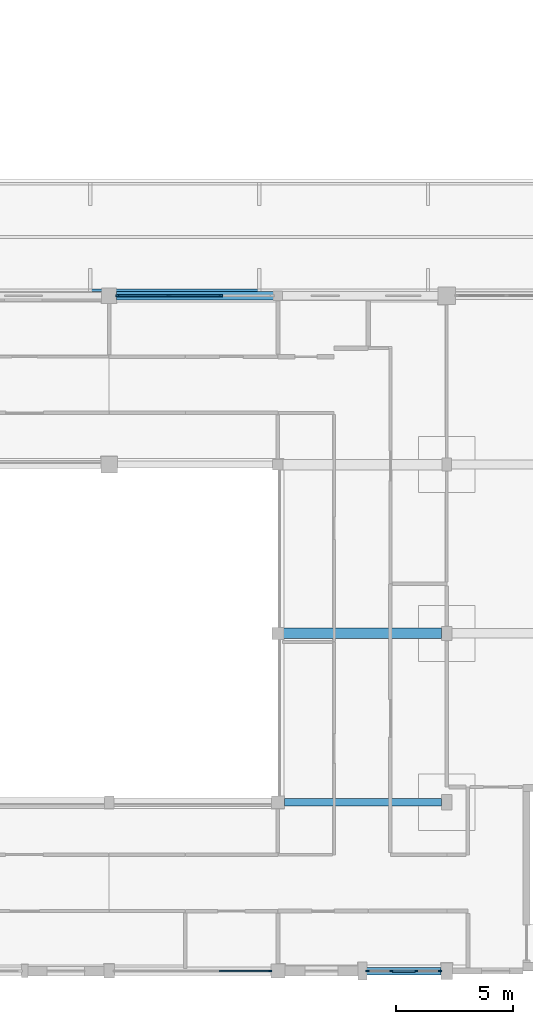
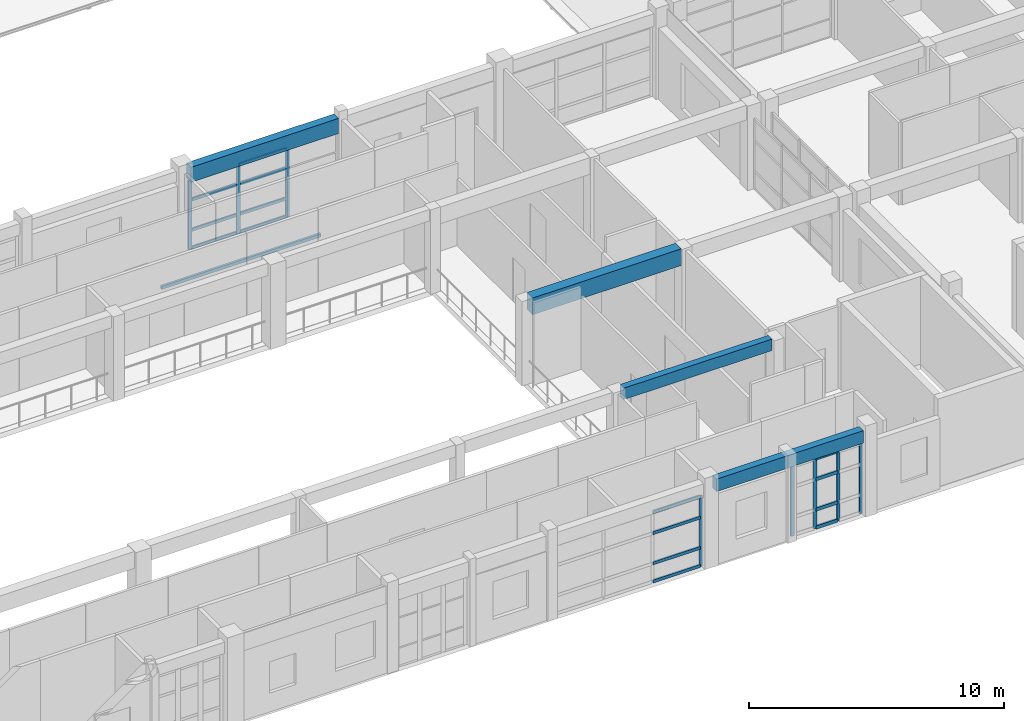
# One storey, part 18 of 110: 25 members, 4 beams, 3 elements without a shape of their own.
"""IFC4 building model written with IfcOpenShell, lengths in metres."""

from ifc_helpers import new_model, si_unit, direction, frame, origin, origin_2d, place, context, subcontext, project, spatial, rectangle, hollow_rectangle, extrude, material, material_profile, profile_set, type_object, element, aggregate, save


model = new_model("IFC4")

# Units and contexts
model_context = context("Model", 3, precision=1e-05, world=origin(), true_north=direction((0.0, 1.0)))
body_context = subcontext(model_context, "Body", "Model", "MODEL_VIEW")
ifc_project = project(units=[si_unit("LENGTHUNIT", "METRE"), si_unit("AREAUNIT", "SQUARE_METRE"), si_unit("VOLUMEUNIT", "CUBIC_METRE"), si_unit("PLANEANGLEUNIT", "RADIAN"), si_unit("MASSUNIT", "GRAM", prefix="KILO")], contexts=[model_context])

# Site, building, storey
site_placement = place(None, origin())
site = spatial("IfcSite", under=ifc_project, at=site_placement, CompositionType="ELEMENT")
building_placement = place(site_placement, origin())
building = spatial("IfcBuilding", under=site, at=building_placement, Name="Steenspoor Specialist Clinic", CompositionType="ELEMENT")
storey_placement = place(building_placement, frame((0.0, 0.0, 4.800048828125)))
storey = spatial("IfcBuildingStorey", under=building, at=storey_placement, Name="L01", CompositionType="ELEMENT", Elevation=4.800048828125)

# Beams
ifc_material_1 = material(Name="Concrete C35/45", Category="concrete")
ifc_material_profile_1 = material_profile(ifc_material_1, rectangle(XDim=0.300048828125, YDim=0.550048828125, at=origin_2d()), Name="RC-BM-300X550")
ifc_profile_set_1 = profile_set([ifc_material_profile_1], Name="Concrete C35/45")
beam_type_1 = type_object("IfcBeamType", Name="BM-RC-300X550", PredefinedType="BEAM", material=ifc_profile_set_1)
beam_1_placement = place(storey_placement, frame((103.070068359375, 20.25, 3.760009765625), z_axis=(1.0, 0.0, 0.0), x_axis=(0.0, 1.0, 0.0)))
element("IfcBeam", 1, at=beam_1_placement, inside=storey, type_object=beam_type_1, Name="BM-V1-L01-X0130", PredefinedType="BEAM", context=body_context, shape_type="SweptSolid", body=[
    extrude(rectangle(XDim=0.300048828125, YDim=0.550048828125, at=origin_2d()), origin(), (0.0, 0.0, 1.0), 6.7099609375),
])
ifc_material_profile_2 = material_profile(ifc_material_1, rectangle(XDim=0.449951171875, YDim=0.800048828125, at=origin_2d()), Name="RC-BM-450X800")
ifc_profile_set_2 = profile_set([ifc_material_profile_2], Name="Concrete C35/45")
beam_type_2 = type_object("IfcBeamType", Name="BM-RC-450X800", PredefinedType="BEAM", material=ifc_profile_set_2)
beam_2_placement = place(storey_placement, frame((103.044921875, 27.449951171875, 3.635009765625), z_axis=(1.0, 0.0, 0.0), x_axis=(0.0, 1.0, 0.0)))
element("IfcBeam", 2, at=beam_2_placement, inside=storey, type_object=beam_type_2, Name="BM-V1-L01-X0132", PredefinedType="BEAM", context=body_context, shape_type="SweptSolid", body=[
    extrude(rectangle(XDim=0.449951171875, YDim=0.800048828125, at=origin_2d()), origin(), (0.0, 0.0, 1.0), 6.735107421875),
])

# Curtain wall, member
ifc_material_2 = material(Name="Thermally broken aluminium and low-emissivity glass", Category="aluminium")
curtain_wall_type_1 = type_object("IfcCurtainWallType", Name="CW-TYP-240X355", PredefinedType="USERDEFINED", material=ifc_material_2)
curtain_wall_1_placement = place(storey_placement, origin())
curtain_wall_1 = element("IfcCurtainWall", 3, at=curtain_wall_1_placement, inside=storey, type_object=curtain_wall_type_1, Name="Unitised Curtain Wall CW-V1-L01-016", ObjectType="UNITISED GLAZING", PredefinedType="USERDEFINED")
ifc_material_3 = material(Name="Thermally broken aluminium 6063-T6", Category="aluminium")
ifc_material_profile_3 = material_profile(ifc_material_3, rectangle(XDim=0.06005859375, YDim=0.135009765625, at=origin_2d()), Name="CWM-60X135")
ifc_profile_set_3 = profile_set([ifc_material_profile_3], Name="Thermally broken aluminium 6063-T6")
member_type_1 = type_object("IfcMemberType", Name="CW-MULL-60X135", PredefinedType="MULLION", material=ifc_profile_set_3)
member_1_placement = place(storey_placement, frame((102.469970703125, 13.050048828125, 0.0), z_axis=(0.0, 0.0, 1.0), x_axis=(0.0, -1.0, 0.0)))
member_1 = element("IfcMember", 4, at=member_1_placement, type_object=member_type_1, Name="CW-16 mullion 1", PredefinedType="MULLION", context=body_context, shape_type="SweptSolid", body=[
    extrude(rectangle(XDim=0.06005859375, YDim=0.135009765625, at=origin_2d()), origin(), (0.0, 0.0, 1.0), 3.3798828125),
])

# Curtain wall, members
curtain_wall_type_2 = type_object("IfcCurtainWallType", Name="CW-TYP-300X355", PredefinedType="USERDEFINED", material=ifc_material_2)
curtain_wall_2_placement = place(storey_placement, origin())
curtain_wall_2 = element("IfcCurtainWall", 5, at=curtain_wall_2_placement, inside=storey, type_object=curtain_wall_type_2, Name="Unitised Curtain Wall CW-V1-L01-015", ObjectType="UNITISED GLAZING", PredefinedType="USERDEFINED")
ifc_material_profile_4 = material_profile(ifc_material_3, rectangle(XDim=0.06494140625, YDim=0.14990234375, at=origin_2d()), Name="CWM-65X150")
ifc_profile_set_4 = profile_set([ifc_material_profile_4], Name="Thermally broken aluminium 6063-T6")
member_type_2 = type_object("IfcMemberType", Name="CW-MULL-65X150", PredefinedType="MULLION", material=ifc_profile_set_4)
member_2_placement = place(storey_placement, frame((109.717529296875, 13.050048828125, 0.0), z_axis=(0.0, 0.0, 1.0), x_axis=(0.0, -1.0, 0.0)))
member_2 = element("IfcMember", 6, at=member_2_placement, type_object=member_type_2, Name="CW-15 mullion 1", PredefinedType="MULLION", context=body_context, shape_type="SweptSolid", body=[
    extrude(rectangle(XDim=0.06494140625, YDim=0.14990234375, at=origin_2d()), origin(), (0.0, 0.0, 1.0), 3.3798828125),
])
member_3_placement = place(storey_placement, frame((108.69677734375, 13.050048828125, 0.0), z_axis=(0.0, 0.0, 1.0), x_axis=(0.0, -1.0, 0.0)))
member_3 = element("IfcMember", 7, at=member_3_placement, type_object=member_type_2, Name="CW-15 mullion 2", PredefinedType="MULLION", context=body_context, shape_type="SweptSolid", body=[
    extrude(rectangle(XDim=0.06494140625, YDim=0.14990234375, at=origin_2d()), origin(), (0.0, 0.0, 1.0), 3.3798828125),
])
member_4_placement = place(storey_placement, frame((107.643310546875, 13.050048828125, 0.0), z_axis=(0.0, 0.0, 1.0), x_axis=(0.0, -1.0, 0.0)))
member_4 = element("IfcMember", 8, at=member_4_placement, type_object=member_type_2, Name="CW-15 mullion 3", PredefinedType="MULLION", context=body_context, shape_type="SweptSolid", body=[
    extrude(rectangle(XDim=0.06494140625, YDim=0.14990234375, at=origin_2d()), origin(), (0.0, 0.0, 1.0), 3.3798828125),
])
member_5_placement = place(storey_placement, frame((106.62255859375, 13.050048828125, 0.0), z_axis=(0.0, 0.0, 1.0), x_axis=(0.0, -1.0, 0.0)))
member_5 = element("IfcMember", 9, at=member_5_placement, type_object=member_type_2, Name="CW-15 mullion 4", PredefinedType="MULLION", context=body_context, shape_type="SweptSolid", body=[
    extrude(rectangle(XDim=0.06494140625, YDim=0.14990234375, at=origin_2d()), origin(), (0.0, 0.0, 1.0), 3.3798828125),
])

curtain_wall_type_3 = type_object("IfcCurtainWallType", Name="CW-HALL-650X820", PredefinedType="USERDEFINED", material=ifc_material_2)
curtain_wall_3_placement = place(storey_placement, origin())
curtain_wall_3 = element("IfcCurtainWall", 10, at=curtain_wall_3_placement, inside=storey, type_object=curtain_wall_type_3, Name="Unitised Curtain Wall CW-V1-L01-026", ObjectType="UNITISED GLAZING", PredefinedType="USERDEFINED")
ifc_material_profile_5 = material_profile(ifc_material_3, rectangle(XDim=0.070068359375, YDim=0.1650390625, at=origin_2d()), Name="CWM-70X165")
ifc_profile_set_5 = profile_set([ifc_material_profile_5], Name="Thermally broken aluminium 6063-T6")
member_type_3 = type_object("IfcMemberType", Name="CW-MULL-70X165", PredefinedType="MULLION", material=ifc_profile_set_5)
member_6_placement = place(storey_placement, frame((95.9599609375, 41.85009765625, 0.0), z_axis=(0.0, 0.0, 1.0), x_axis=(0.0, 1.0, 0.0)))
member_6 = element("IfcMember", 11, at=member_6_placement, type_object=member_type_3, Name="CW-02 mullion 1", PredefinedType="MULLION", context=body_context, shape_type="SweptSolid", body=[
    extrude(rectangle(XDim=0.070068359375, YDim=0.1650390625, at=origin_2d()), origin(), (0.0, 0.0, 1.0), 3.300048828125),
])
member_7_placement = place(storey_placement, frame((98.14990234375, 41.85009765625, 0.0), z_axis=(0.0, 0.0, 1.0), x_axis=(0.0, 1.0, 0.0)))
member_7 = element("IfcMember", 12, at=member_7_placement, type_object=member_type_3, Name="CW-02 mullion 2", PredefinedType="MULLION", context=body_context, shape_type="SweptSolid", body=[
    extrude(rectangle(XDim=0.070068359375, YDim=0.1650390625, at=origin_2d()), origin(), (0.0, 0.0, 1.0), 3.300048828125),
])
member_8_placement = place(storey_placement, frame((100.375, 41.85009765625, 0.0), z_axis=(0.0, 0.0, 1.0), x_axis=(0.0, 1.0, 0.0)))
member_8 = element("IfcMember", 13, at=member_8_placement, type_object=member_type_3, Name="CW-02 mullion 3", PredefinedType="MULLION", context=body_context, shape_type="SweptSolid", body=[
    extrude(rectangle(XDim=0.070068359375, YDim=0.1650390625, at=origin_2d()), origin(), (0.0, 0.0, 1.0), 3.300048828125),
])

# Member
ifc_material_profile_6 = material_profile(ifc_material_3, rectangle(XDim=0.070068359375, YDim=0.14501953125, at=origin_2d()), Name="CWT-70X145")
ifc_profile_set_6 = profile_set([ifc_material_profile_6], Name="Thermally broken aluminium 6063-T6")
member_type_4 = type_object("IfcMemberType", Name="CW-TRAN-70X145", PredefinedType="USERDEFINED", material=ifc_profile_set_6)
member_9_placement = place(storey_placement, frame((102.43994140625, 13.050048828125, 0.034912109375), z_axis=(-1.0, 0.0, 0.0), x_axis=(0.0, -1.0, 0.0)))
member_9 = element("IfcMember", 14, at=member_9_placement, type_object=member_type_4, Name="CW-16 transom 1.1", ObjectType="TRANSOM", PredefinedType="USERDEFINED", context=body_context, shape_type="SweptSolid", body=[
    extrude(rectangle(XDim=0.070068359375, YDim=0.14501953125, at=origin_2d()), origin(), (0.0, 0.0, 1.0), 2.135009765625),
])

member_10_placement = place(storey_placement, frame((102.43994140625, 13.050048828125, 0.89990234375), z_axis=(-1.0, 0.0, 0.0), x_axis=(0.0, -1.0, 0.0)))
member_10 = element("IfcMember", 15, at=member_10_placement, type_object=member_type_4, Name="CW-16 transom 1.2", ObjectType="TRANSOM", PredefinedType="USERDEFINED", context=body_context, shape_type="SweptSolid", body=[
    extrude(rectangle(XDim=0.070068359375, YDim=0.14501953125, at=origin_2d()), origin(), (0.0, 0.0, 1.0), 2.135009765625),
])

member_11_placement = place(storey_placement, frame((102.43994140625, 13.050048828125, 2.349853515625), z_axis=(-1.0, 0.0, 0.0), x_axis=(0.0, -1.0, 0.0)))
member_11 = element("IfcMember", 16, at=member_11_placement, type_object=member_type_4, Name="CW-16 transom 1.3", ObjectType="TRANSOM", PredefinedType="USERDEFINED", context=body_context, shape_type="SweptSolid", body=[
    extrude(rectangle(XDim=0.070068359375, YDim=0.14501953125, at=origin_2d()), origin(), (0.0, 0.0, 1.0), 2.135009765625),
])

member_12_placement = place(storey_placement, frame((102.43994140625, 13.050048828125, 3.344970703125), z_axis=(-1.0, 0.0, 0.0), x_axis=(0.0, -1.0, 0.0)))
member_12 = element("IfcMember", 17, at=member_12_placement, type_object=member_type_4, Name="CW-16 transom 1.4", ObjectType="TRANSOM", PredefinedType="USERDEFINED", context=body_context, shape_type="SweptSolid", body=[
    extrude(rectangle(XDim=0.070068359375, YDim=0.14501953125, at=origin_2d()), origin(), (0.0, 0.0, 1.0), 2.135009765625),
])

aggregate(curtain_wall_1, [member_1, member_9, member_10, member_11, member_12])

member_13_placement = place(storey_placement, frame((95.9951171875, 41.85009765625, 0.034912109375), z_axis=(1.0, 0.0, 0.0), x_axis=(0.0, 1.0, 0.0)))
member_13 = element("IfcMember", 18, at=member_13_placement, type_object=member_type_4, Name="CW-02 transom 1.1", ObjectType="TRANSOM", PredefinedType="USERDEFINED", context=body_context, shape_type="SweptSolid", body=[
    extrude(rectangle(XDim=0.070068359375, YDim=0.14501953125, at=origin_2d()), origin(), (0.0, 0.0, 1.0), 2.119873046875),
])

member_14_placement = place(storey_placement, frame((95.9951171875, 41.85009765625, 0.89990234375), z_axis=(1.0, 0.0, 0.0), x_axis=(0.0, 1.0, 0.0)))
member_14 = element("IfcMember", 19, at=member_14_placement, type_object=member_type_4, Name="CW-02 transom 1.2", ObjectType="TRANSOM", PredefinedType="USERDEFINED", context=body_context, shape_type="SweptSolid", body=[
    extrude(rectangle(XDim=0.070068359375, YDim=0.14501953125, at=origin_2d()), origin(), (0.0, 0.0, 1.0), 2.119873046875),
])

member_15_placement = place(storey_placement, frame((95.9951171875, 41.85009765625, 2.349853515625), z_axis=(1.0, 0.0, 0.0), x_axis=(0.0, 1.0, 0.0)))
member_15 = element("IfcMember", 20, at=member_15_placement, type_object=member_type_4, Name="CW-02 transom 1.3", ObjectType="TRANSOM", PredefinedType="USERDEFINED", context=body_context, shape_type="SweptSolid", body=[
    extrude(rectangle(XDim=0.070068359375, YDim=0.14501953125, at=origin_2d()), origin(), (0.0, 0.0, 1.0), 2.119873046875),
])

member_16_placement = place(storey_placement, frame((95.9951171875, 41.85009765625, 3.264892578125), z_axis=(1.0, 0.0, 0.0), x_axis=(0.0, 1.0, 0.0)))
member_16 = element("IfcMember", 21, at=member_16_placement, type_object=member_type_4, Name="CW-02 transom 1.4", ObjectType="TRANSOM", PredefinedType="USERDEFINED", context=body_context, shape_type="SweptSolid", body=[
    extrude(rectangle(XDim=0.070068359375, YDim=0.14501953125, at=origin_2d()), origin(), (0.0, 0.0, 1.0), 2.119873046875),
])

member_17_placement = place(storey_placement, frame((98.18505859375, 41.85009765625, 0.034912109375), z_axis=(1.0, 0.0, 0.0), x_axis=(0.0, 1.0, 0.0)))
member_17 = element("IfcMember", 22, at=member_17_placement, type_object=member_type_4, Name="CW-02 transom 2.1", ObjectType="TRANSOM", PredefinedType="USERDEFINED", context=body_context, shape_type="SweptSolid", body=[
    extrude(rectangle(XDim=0.070068359375, YDim=0.14501953125, at=origin_2d()), origin(), (0.0, 0.0, 1.0), 2.155029296875),
])

member_18_placement = place(storey_placement, frame((98.18505859375, 41.85009765625, 0.89990234375), z_axis=(1.0, 0.0, 0.0), x_axis=(0.0, 1.0, 0.0)))
member_18 = element("IfcMember", 23, at=member_18_placement, type_object=member_type_4, Name="CW-02 transom 2.2", ObjectType="TRANSOM", PredefinedType="USERDEFINED", context=body_context, shape_type="SweptSolid", body=[
    extrude(rectangle(XDim=0.070068359375, YDim=0.14501953125, at=origin_2d()), origin(), (0.0, 0.0, 1.0), 2.155029296875),
])

member_19_placement = place(storey_placement, frame((98.18505859375, 41.85009765625, 2.349853515625), z_axis=(1.0, 0.0, 0.0), x_axis=(0.0, 1.0, 0.0)))
member_19 = element("IfcMember", 24, at=member_19_placement, type_object=member_type_4, Name="CW-02 transom 2.3", ObjectType="TRANSOM", PredefinedType="USERDEFINED", context=body_context, shape_type="SweptSolid", body=[
    extrude(rectangle(XDim=0.070068359375, YDim=0.14501953125, at=origin_2d()), origin(), (0.0, 0.0, 1.0), 2.155029296875),
])

member_20_placement = place(storey_placement, frame((98.18505859375, 41.85009765625, 3.264892578125), z_axis=(1.0, 0.0, 0.0), x_axis=(0.0, 1.0, 0.0)))
member_20 = element("IfcMember", 25, at=member_20_placement, type_object=member_type_4, Name="CW-02 transom 2.4", ObjectType="TRANSOM", PredefinedType="USERDEFINED", context=body_context, shape_type="SweptSolid", body=[
    extrude(rectangle(XDim=0.070068359375, YDim=0.14501953125, at=origin_2d()), origin(), (0.0, 0.0, 1.0), 2.155029296875),
])

aggregate(curtain_wall_3, [member_6, member_7, member_8, member_13, member_14, member_15, member_16, member_17, member_18, member_19, member_20])

ifc_material_profile_7 = material_profile(ifc_material_3, rectangle(XDim=0.080078125, YDim=0.159912109375, at=origin_2d()), Name="CWT-80X160")
ifc_profile_set_7 = profile_set([ifc_material_profile_7], Name="Thermally broken aluminium 6063-T6")
member_type_5 = type_object("IfcMemberType", Name="CW-TRAN-80X160", PredefinedType="USERDEFINED", material=ifc_profile_set_7)
member_21_placement = place(storey_placement, frame((108.6640625, 13.050048828125, 0.0400390625), z_axis=(-1.0, 0.0, 0.0), x_axis=(0.0, -1.0, 0.0)))
member_21 = element("IfcMember", 26, at=member_21_placement, type_object=member_type_5, Name="CW-15 transom 2.1", ObjectType="TRANSOM", PredefinedType="USERDEFINED", context=body_context, shape_type="SweptSolid", body=[
    extrude(rectangle(XDim=0.080078125, YDim=0.159912109375, at=origin_2d()), origin(), (0.0, 0.0, 1.0), 0.98828125),
])

member_22_placement = place(storey_placement, frame((108.6640625, 13.050048828125, 0.89990234375), z_axis=(-1.0, 0.0, 0.0), x_axis=(0.0, -1.0, 0.0)))
member_22 = element("IfcMember", 27, at=member_22_placement, type_object=member_type_5, Name="CW-15 transom 2.2", ObjectType="TRANSOM", PredefinedType="USERDEFINED", context=body_context, shape_type="SweptSolid", body=[
    extrude(rectangle(XDim=0.080078125, YDim=0.159912109375, at=origin_2d()), origin(), (0.0, 0.0, 1.0), 0.98828125),
])

member_23_placement = place(storey_placement, frame((108.6640625, 13.050048828125, 2.349853515625), z_axis=(-1.0, 0.0, 0.0), x_axis=(0.0, -1.0, 0.0)))
member_23 = element("IfcMember", 28, at=member_23_placement, type_object=member_type_5, Name="CW-15 transom 2.3", ObjectType="TRANSOM", PredefinedType="USERDEFINED", context=body_context, shape_type="SweptSolid", body=[
    extrude(rectangle(XDim=0.080078125, YDim=0.159912109375, at=origin_2d()), origin(), (0.0, 0.0, 1.0), 0.98828125),
])

member_24_placement = place(storey_placement, frame((108.6640625, 13.050048828125, 3.33984375), z_axis=(-1.0, 0.0, 0.0), x_axis=(0.0, -1.0, 0.0)))
member_24 = element("IfcMember", 29, at=member_24_placement, type_object=member_type_5, Name="CW-15 transom 2.4", ObjectType="TRANSOM", PredefinedType="USERDEFINED", context=body_context, shape_type="SweptSolid", body=[
    extrude(rectangle(XDim=0.080078125, YDim=0.159912109375, at=origin_2d()), origin(), (0.0, 0.0, 1.0), 0.98828125),
])

aggregate(curtain_wall_2, [member_2, member_3, member_4, member_5, member_21, member_22, member_23, member_24])

ifc_material_4 = material(Name="Steel A500 Grade C", Category="steel")
ifc_material_profile_8 = material_profile(ifc_material_4, hollow_rectangle(XDim=0.1015625, YDim=0.15234375, WallThickness=0.005859375, at=origin_2d()), Name="HSS152X102X6.4")
ifc_profile_set_8 = profile_set([ifc_material_profile_8], Name="Steel A500 Grade C")
member_type_6 = type_object("IfcMemberType", Name="MEM-PURLIN-H152", PredefinedType="PURLIN", material=ifc_profile_set_8)
member_25_placement = place(storey_placement, frame((94.800048828125, 42.080078125, -1.571533203125), z_axis=(1.0, 0.0, 0.0), x_axis=(0.0, 1.0, 0.0)))
element("IfcMember", 30, at=member_25_placement, inside=storey, type_object=member_type_6, Name="Walkway Fascia WK5 605", PredefinedType="PURLIN", context=body_context, shape_type="SweptSolid", body=[
    extrude(hollow_rectangle(XDim=0.1015625, YDim=0.15234375, WallThickness=0.005859375, at=origin_2d()), origin(), (0.0, 0.0, 1.0), 7.199951171875),
])

# Beams
ifc_material_profile_9 = material_profile(ifc_material_1, rectangle(XDim=0.320068359375, YDim=0.60009765625, at=origin_2d()), Name="RC-SP-320X600")
ifc_profile_set_9 = profile_set([ifc_material_profile_9], Name="Concrete C35/45")
beam_type_3 = type_object("IfcBeamType", Name="SP-RC-320X600", PredefinedType="SPANDREL", material=ifc_profile_set_9)
beam_3_placement = place(storey_placement, frame((103.094970703125, 13.050048828125, 3.73486328125), z_axis=(1.0, 0.0, 0.0), x_axis=(0.0, 1.0, 0.0)))
element("IfcBeam", 31, at=beam_3_placement, inside=storey, type_object=beam_type_3, Name="BM-V1-L01-X0122", PredefinedType="SPANDREL", context=body_context, shape_type="SweptSolid", body=[
    extrude(rectangle(XDim=0.320068359375, YDim=0.60009765625, at=origin_2d()), origin(), (0.0, 0.0, 1.0), 6.659912109375),
])
ifc_material_profile_10 = material_profile(ifc_material_1, rectangle(XDim=0.360107421875, YDim=0.719970703125, at=origin_2d()), Name="RC-SP-360X720")
ifc_profile_set_10 = profile_set([ifc_material_profile_10], Name="Concrete C35/45")
beam_type_4 = type_object("IfcBeamType", Name="SP-RC-360X720", PredefinedType="SPANDREL", material=ifc_profile_set_10)
beam_4_placement = place(storey_placement, frame((95.919921875, 41.85009765625, 3.675048828125), z_axis=(1.0, 0.0, 0.0), x_axis=(0.0, 1.0, 0.0)))
element("IfcBeam", 32, at=beam_4_placement, inside=storey, type_object=beam_type_4, Name="BM-V1-L01-X0151", PredefinedType="SPANDREL", context=body_context, shape_type="SweptSolid", body=[
    extrude(rectangle(XDim=0.360107421875, YDim=0.719970703125, at=origin_2d()), origin(), (0.0, 0.0, 1.0), 6.68505859375),
])

save(model, "model.ifc")
